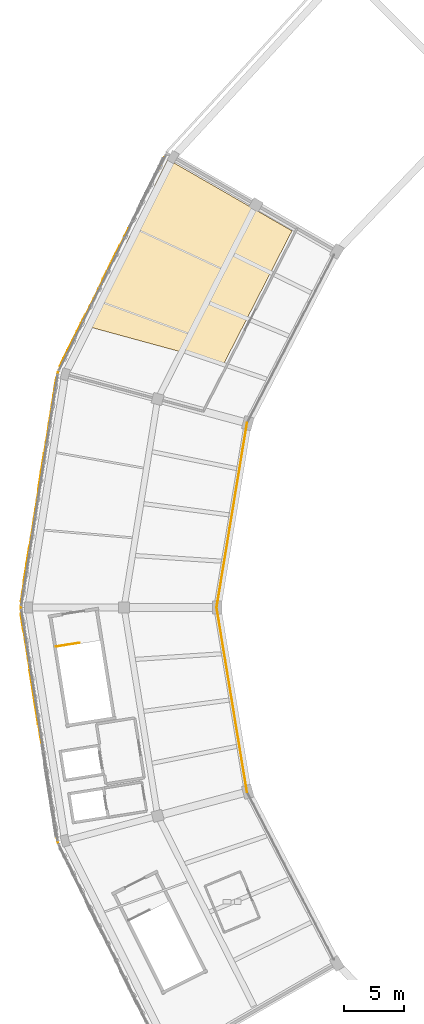
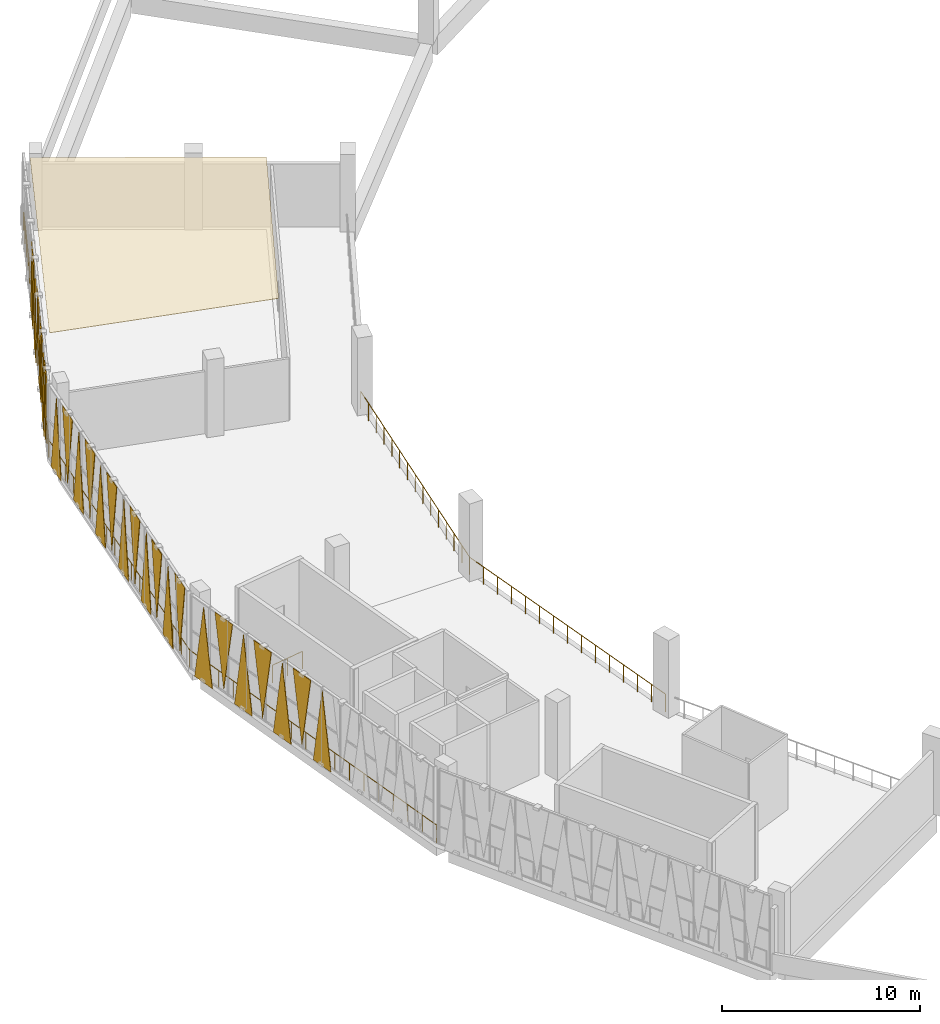
# One storey, part 58 of 64: 28 coverings, 6 railings.
"""IFC4 building model written with IfcOpenShell, lengths in metres."""

from ifc_helpers import new_model, si_unit, direction, frame, origin, origin_2d, place, context, subcontext, project, spatial, polyline, circle, outline, extrude, material, layer, layer_set, type_object, element, save


model = new_model("IFC4")

# Units and contexts
model_context = context("Model", 3, precision=1e-05, world=origin(), true_north=direction((0.0, 1.0)))
body_context = subcontext(model_context, "Body", "Model", "MODEL_VIEW")
ifc_project = project(units=[si_unit("LENGTHUNIT", "METRE"), si_unit("AREAUNIT", "SQUARE_METRE"), si_unit("VOLUMEUNIT", "CUBIC_METRE"), si_unit("PLANEANGLEUNIT", "RADIAN"), si_unit("MASSUNIT", "GRAM", prefix="KILO")], contexts=[model_context])

# Site, building, storey
site_placement = place(None, origin())
site = spatial("IfcSite", under=ifc_project, at=site_placement, CompositionType="ELEMENT")
building_placement = place(site_placement, origin())
building = spatial("IfcBuilding", under=site, at=building_placement, Name="Zevraka Park Crest Stadium", CompositionType="ELEMENT")
storey_placement = place(building_placement, frame((0.0, 0.0, 24.60009765625)))
storey = spatial("IfcBuildingStorey", under=building, at=storey_placement, Name="L05", CompositionType="ELEMENT", Elevation=24.60009765625)

# Coverings
ifc_material_1 = material(Name="Architectural golden-bronze perforated aluminium", Category="aluminium")
ifc_layer_1 = layer(ifc_material_1, 0.034912109375)
ifc_layer_set_1 = layer_set([ifc_layer_1], Name="Architectural golden-bronze perforated aluminium")
covering_type_1 = type_object("IfcCoveringType", Name="CLD01", PredefinedType="CLADDING", material=ifc_layer_set_1)
covering_1_placement = place(storey_placement, frame((30.05908203125, 123.68408203125, -0.22021484375), z_axis=(-0.895916767223, 0.444221937409, 0.000128584975), x_axis=(-0.444221941081, -0.895916774629, 0.0)))
element("IfcCovering", 1, at=covering_1_placement, inside=storey, type_object=covering_type_1, Name="Triangular Golden-Bronze Perforated Cladding L05-10-5", PredefinedType="CLADDING", context=body_context, shape_type="SweptSolid", body=[
    extrude(outline(polyline([(0.0, 0.0), (1.4701573953898759, 0.0), (0.7354628429647014, 4.660156288525736), (0.0, 0.0)])), origin(), (0.0, 0.0, -1.0), 0.034912109375),
])
covering_2_placement = place(storey_placement, frame((28.681884765625, 120.906982421875, 4.599853515625), z_axis=(0.895916759006, -0.444221933335, 0.000186752884), x_axis=(0.444221941081, 0.895916774629, 0.0)))
element("IfcCovering", 2, at=covering_2_placement, inside=storey, type_object=covering_type_1, Name="Triangular Golden-Bronze Perforated Cladding L05-10-6", PredefinedType="CLADDING", context=body_context, shape_type="SweptSolid", body=[
    extrude(outline(polyline([(0.0, 0.0), (1.4701573953898759, 1.3552527156068805e-20), (0.7348030050475087, -4.379882888877799), (0.0, 0.0)])), origin(), (0.0, 0.0, -1.0), 0.034912109375),
])
covering_3_placement = place(storey_placement, frame((28.611083984375, 120.762939453125, -0.22021484375), z_axis=(0.895883985299, -0.444288034979, 0.000163887575), x_axis=(-0.444288040945, -0.895883997331, 0.0)))
element("IfcCovering", 3, at=covering_3_placement, inside=storey, type_object=covering_type_1, Name="Triangular Golden-Bronze Perforated Cladding L05-10-7", PredefinedType="CLADDING", context=body_context, shape_type="SweptSolid", body=[
    extrude(outline(polyline([(0.0, 0.0), (1.469938669709407, 0.0), (0.7348030633966232, -4.66015631258389), (0.0, 0.0)])), origin(), (0.0, 0.0, -1.0), 0.034912109375),
])
covering_4_placement = place(storey_placement, frame((27.23388671875, 117.986083984375, 4.599853515625), z_axis=(-0.895883990394, 0.444288037506, 0.000124437127), x_axis=(0.444288040945, 0.895883997331, 0.0)))
element("IfcCovering", 4, at=covering_4_placement, inside=storey, type_object=covering_type_1, Name="Triangular Golden-Bronze Perforated Cladding L05-10-8", PredefinedType="CLADDING", context=body_context, shape_type="SweptSolid", body=[
    extrude(outline(polyline([(0.0, 0.0), (1.469938669709407, 0.0), (0.7352440750727806, 4.379882846410363), (0.0, 0.0)])), origin(), (0.0, 0.0, -1.0), 0.034912109375),
])
covering_5_placement = place(storey_placement, frame((27.162109375, 117.843017578125, -0.22021484375), z_axis=(-0.895916769661, 0.444221938618, 0.00010531266), x_axis=(-0.444221941081, -0.895916774629, 0.0)))
element("IfcCovering", 5, at=covering_5_placement, inside=storey, type_object=covering_type_1, Name="Triangular Golden-Bronze Perforated Cladding L05-10-9", PredefinedType="CLADDING", context=body_context, shape_type="SweptSolid", body=[
    extrude(outline(polyline([(0.0, 0.0), (1.4701573953898759, 0.0), (0.7352441132833955, 4.66015627584233), (0.0, 0.0)])), origin(), (0.0, 0.0, -1.0), 0.034912109375),
])
covering_6_placement = place(storey_placement, frame((25.784912109375, 115.06494140625, 4.599853515625), z_axis=(0.895916772854, -0.444221940201, 6.2945211e-05), x_axis=(0.444221941081, 0.895916774629, 0.0)))
element("IfcCovering", 6, at=covering_6_placement, inside=storey, type_object=covering_type_1, Name="Triangular Golden-Bronze Perforated Cladding L05-10-10", PredefinedType="CLADDING", context=body_context, shape_type="SweptSolid", body=[
    extrude(outline(polyline([(0.0, 0.0), (1.4701573953898759, 0.0), (0.7358966534540385, -4.379882821176766), (0.0, 0.0)])), origin(), (0.0, 0.0, -1.0), 0.034912109375),
])
covering_7_placement = place(storey_placement, frame((25.714111328125, 114.922119140625, -0.22021484375), z_axis=(0.895916764246, -0.444221935933, 0.000152248785), x_axis=(-0.444221941081, -0.895916774629, 0.0)))
element("IfcCovering", 7, at=covering_7_placement, inside=storey, type_object=covering_type_1, Name="Triangular Golden-Bronze Perforated Cladding L05-10-11", PredefinedType="CLADDING", context=body_context, shape_type="SweptSolid", body=[
    extrude(outline(polyline([(0.0, 0.0), (1.4701573953898759, 1.3552527156068805e-20), (0.7350217347288147, -4.660156304010495), (0.0, 0.0)])), origin(), (0.0, 0.0, -1.0), 0.034912109375),
])
covering_8_placement = place(storey_placement, frame((24.3359375, 112.14501953125, 4.599853515625), z_axis=(0.895619480368, -0.444821021117, 7.4551381e-05), x_axis=(0.444821022353, 0.895619482857, 0.0)))
element("IfcCovering", 8, at=covering_8_placement, inside=storey, type_object=covering_type_1, Name="Triangular Golden-Bronze Perforated Cladding L05-10-12", PredefinedType="CLADDING", context=body_context, shape_type="SweptSolid", body=[
    extrude(outline(polyline([(0.0, 0.0), (1.4703728050326461, 0.0), (0.7348033877569146, -4.379882824671494), (0.0, 0.0)])), origin(), (0.0, 0.0, -1.0), 0.034912109375),
])
covering_9_placement = place(storey_placement, frame((24.01806640625, 111.14599609375, -0.22021484375), z_axis=(-0.987893266942, 0.155135069683, 5.7313612e-05), x_axis=(-0.155135069938, -0.987893268565, 0.0)))
element("IfcCovering", 9, at=covering_9_placement, inside=storey, type_object=covering_type_1, Name="Triangular Golden-Bronze Perforated Cladding L05-11-1", PredefinedType="CLADDING", context=body_context, shape_type="SweptSolid", body=[
    extrude(outline(polyline([(0.0, 0.0), (1.4242251330644342, -1.6940658945086007e-21), (0.7114527921727644, 4.6601562576539575), (0.0, 0.0)])), origin(), (0.0, 0.0, -1.0), 0.034912109375),
])
covering_10_placement = place(storey_placement, frame((23.550048828125, 108.174072265625, 4.599853515625), z_axis=(-0.987787967194, 0.155804140583, 4.0557424e-05), x_axis=(0.155804140711, 0.987787968006, 0.0)))
element("IfcCovering", 10, at=covering_10_placement, inside=storey, type_object=covering_type_1, Name="Triangular Golden-Bronze Perforated Cladding L05-11-2", PredefinedType="CLADDING", context=body_context, shape_type="SweptSolid", body=[
    extrude(outline(polyline([(0.0, 0.0), (1.424376958868296, 0.0), (0.7125311991318173, 4.379882816102245), (0.0, 0.0)])), origin(), (0.0, 0.0, -1.0), 0.034912109375),
])
covering_11_placement = place(storey_placement, frame((23.52490234375, 108.01611328125, -0.22021484375), z_axis=(-0.987792127669, 0.155777766143, 9.552626e-06), x_axis=(-0.155777766151, -0.987792127714, 0.0)))
element("IfcCovering", 11, at=covering_11_placement, inside=storey, type_object=covering_type_1, Name="Triangular Golden-Bronze Perforated Cladding L05-11-3", PredefinedType="CLADDING", context=body_context, shape_type="SweptSolid", body=[
    extrude(outline(polyline([(0.0, 0.0), (1.4246181185479923, 0.0), (0.7118077230585413, 4.660156250212626), (0.0, 0.0)])), origin(), (0.0, 0.0, -1.0), 0.034912109375),
])
covering_12_placement = place(storey_placement, frame((23.055908203125, 105.0439453125, 4.599853515625), z_axis=(-0.98776157535, 0.155971374903, 2.1735141e-05), x_axis=(0.15597137494, 0.987761575584, 0.0)))
element("IfcCovering", 12, at=covering_12_placement, inside=storey, type_object=covering_type_1, Name="Triangular Golden-Bronze Perforated Cladding L05-11-4", PredefinedType="CLADDING", context=body_context, shape_type="SweptSolid", body=[
    extrude(outline(polyline([(0.0, 0.0), (1.4244150174031942, 8.470329472543003e-22), (0.712810390522632, 4.3798828135345635), (0.0, 0.0)])), origin(), (0.0, 0.0, -1.0), 0.034912109375),
])
covering_13_placement = place(storey_placement, frame((23.031982421875, 104.885986328125, -0.22021484375), z_axis=(0.987787966948, -0.155804140544, 4.6280613e-05), x_axis=(-0.155804140711, -0.987787968006, 0.0)))
element("IfcCovering", 13, at=covering_13_placement, inside=storey, type_object=covering_type_1, Name="Triangular Golden-Bronze Perforated Cladding L05-11-5", PredefinedType="CLADDING", context=body_context, shape_type="SweptSolid", body=[
    extrude(outline(polyline([(0.0, 0.0), (1.424376958868296, 0.0), (0.7116046005646023, -4.660156254990783), (0.0, 0.0)])), origin(), (0.0, 0.0, -1.0), 0.034912109375),
])
covering_14_placement = place(storey_placement, frame((22.56298828125, 101.9140625, 4.599853515625), z_axis=(0.987787967902, -0.155804140695, 1.450322e-05), x_axis=(0.155804140711, 0.987787968006, 0.0)))
element("IfcCovering", 14, at=covering_14_placement, inside=storey, type_object=covering_type_1, Name="Triangular Golden-Bronze Perforated Cladding L05-11-6", PredefinedType="CLADDING", context=body_context, shape_type="SweptSolid", body=[
    extrude(outline(polyline([(0.0, 0.0), (1.424376958868296, 0.0), (0.7125692372521081, -4.3798828129606395), (0.0, 0.0)])), origin(), (0.0, 0.0, -1.0), 0.034912109375),
])
covering_15_placement = place(storey_placement, frame((22.5380859375, 101.756103515625, -0.22021484375), z_axis=(-0.987761575377, 0.155971374908, 2.0427936e-05), x_axis=(-0.15597137494, -0.987761575584, 0.0)))
element("IfcCovering", 15, at=covering_15_placement, inside=storey, type_object=covering_type_1, Name="Triangular Golden-Bronze Perforated Cladding L05-11-7", PredefinedType="CLADDING", context=body_context, shape_type="SweptSolid", body=[
    extrude(outline(polyline([(0.0, 0.0), (1.4244150174031942, 0.0), (0.712810390522632, 4.660156250972343), (0.0, 0.0)])), origin(), (0.0, 0.0, -1.0), 0.034912109375),
])
covering_16_placement = place(storey_placement, frame((22.069091796875, 98.783935546875, 4.599853515625), z_axis=(-0.987787967902, 0.155804140695, 1.450322e-05), x_axis=(0.155804140711, 0.987787968006, 0.0)))
element("IfcCovering", 16, at=covering_16_placement, inside=storey, type_object=covering_type_1, Name="Triangular Golden-Bronze Perforated Cladding L05-11-8", PredefinedType="CLADDING", context=body_context, shape_type="SweptSolid", body=[
    extrude(outline(polyline([(0.0, 0.0), (1.424376958868296, 0.0), (0.711807721616188, 4.3798828129606395), (0.0, 0.0)])), origin(), (0.0, 0.0, -1.0), 0.034912109375),
])
covering_17_placement = place(storey_placement, frame((22.044921875, 98.6259765625, -0.22021484375), z_axis=(-0.987787967288, 0.155804140598, 3.81182e-05), x_axis=(-0.155804140711, -0.987787968006, 0.0)))
element("IfcCovering", 17, at=covering_17_placement, inside=storey, type_object=covering_type_1, Name="Triangular Golden-Bronze Perforated Cladding L05-11-9", PredefinedType="CLADDING", context=body_context, shape_type="SweptSolid", body=[
    extrude(outline(polyline([(0.0, 0.0), (1.424376958868296, 0.0), (0.7125311991318173, 4.660156253385598), (0.0, 0.0)])), origin(), (0.0, 0.0, -1.0), 0.034912109375),
])
covering_18_placement = place(storey_placement, frame((21.575927734375, 95.654052734375, 4.599853515625), z_axis=(0.98776157535, -0.155971374903, 2.1735141e-05), x_axis=(0.15597137494, 0.987761575584, 0.0)))
element("IfcCovering", 18, at=covering_18_placement, inside=storey, type_object=covering_type_1, Name="Triangular Golden-Bronze Perforated Cladding L05-11-10", PredefinedType="CLADDING", context=body_context, shape_type="SweptSolid", body=[
    extrude(outline(polyline([(0.0, 0.0), (1.4244150174031942, 8.470329472543003e-22), (0.7116046268805623, -4.3798828135345635), (0.0, 0.0)])), origin(), (0.0, 0.0, -1.0), 0.034912109375),
])
covering_19_placement = place(storey_placement, frame((21.551025390625, 95.49609375, -0.22021484375), z_axis=(0.987787967991, -0.155804140709, 5.468547e-06), x_axis=(-0.155804140711, -0.987787968006, 0.0)))
element("IfcCovering", 19, at=covering_19_placement, inside=storey, type_object=covering_type_1, Name="Triangular Golden-Bronze Perforated Cladding L05-11-11", PredefinedType="CLADDING", context=body_context, shape_type="SweptSolid", body=[
    extrude(outline(polyline([(0.0, 0.0), (1.424376958868296, 0.0), (0.7128103964239846, -4.660156250069682), (0.0, 0.0)])), origin(), (0.0, 0.0, -1.0), 0.034912109375),
])
covering_20_placement = place(storey_placement, frame((21.0830078125, 92.52392578125, 4.599853515625), z_axis=(-0.98789326617, 0.155135069562, 6.9628612e-05), x_axis=(0.155135069938, 0.987893268565, 0.0)))
element("IfcCovering", 20, at=covering_20_placement, inside=storey, type_object=covering_type_1, Name="Triangular Golden-Bronze Perforated Cladding L05-11-12", PredefinedType="CLADDING", context=body_context, shape_type="SweptSolid", body=[
    extrude(outline(polyline([(0.0, 0.0), (1.4242251330644342, 0.0), (0.711693977052785, 4.379882823117151), (0.0, 0.0)])), origin(), (0.0, 0.0, -1.0), 0.034912109375),
])
covering_21_placement = place(storey_placement, frame((21.0830078125, 91.47607421875, -0.22021484375), z_axis=(0.987893266449, 0.155135069606, 6.5440973e-05), x_axis=(0.155135069938, -0.987893268565, 0.0)))
element("IfcCovering", 21, at=covering_21_placement, inside=storey, type_object=covering_type_1, Name="Triangular Golden-Bronze Perforated Cladding L05-12-1", PredefinedType="CLADDING", context=body_context, shape_type="SweptSolid", body=[
    extrude(outline(polyline([(0.0, 0.0), (1.4242251330644342, 1.6940658945086007e-21), (0.711693977052785, -4.66015625997861), (0.0, 0.0)])), origin(), (0.0, 0.0, -1.0), 0.034912109375),
])
covering_22_placement = place(storey_placement, frame((21.551025390625, 88.50390625, 4.599853515625), z_axis=(-0.987787967989, -0.155804140708, 5.818486e-06), x_axis=(-0.155804140711, 0.987787968006, 0.0)))
element("IfcCovering", 22, at=covering_22_placement, inside=storey, type_object=covering_type_1, Name="Triangular Golden-Bronze Perforated Cladding L05-12-2", PredefinedType="CLADDING", context=body_context, shape_type="SweptSolid", body=[
    extrude(outline(polyline([(0.0, 0.0), (1.424376958868296, 0.0), (0.7128103964239846, 4.379882812574141), (0.0, 0.0)])), origin(), (0.0, 0.0, -1.0), 0.034912109375),
])
covering_23_placement = place(storey_placement, frame((21.575927734375, 88.345947265625, -0.22021484375), z_axis=(-0.987761575377, -0.155971374908, 2.0427936e-05), x_axis=(0.15597137494, -0.987761575584, 0.0)))
element("IfcCovering", 23, at=covering_23_placement, inside=storey, type_object=covering_type_1, Name="Triangular Golden-Bronze Perforated Cladding L05-12-3", PredefinedType="CLADDING", context=body_context, shape_type="SweptSolid", body=[
    extrude(outline(polyline([(0.0, 0.0), (1.4244150174031942, 0.0), (0.7116046268805623, 4.660156250972343), (0.0, 0.0)])), origin(), (0.0, 0.0, -1.0), 0.034912109375),
])
covering_24_placement = place(storey_placement, frame((22.044921875, 85.3740234375, 4.599853515625), z_axis=(0.987787967194, 0.155804140583, 4.0557424e-05), x_axis=(-0.155804140711, 0.987787968006, 0.0)))
element("IfcCovering", 24, at=covering_24_placement, inside=storey, type_object=covering_type_1, Name="Triangular Golden-Bronze Perforated Cladding L05-12-4", PredefinedType="CLADDING", context=body_context, shape_type="SweptSolid", body=[
    extrude(outline(polyline([(0.0, 0.0), (1.424376958868296, 0.0), (0.7125311991318173, -4.379882816102245), (0.0, 0.0)])), origin(), (0.0, 0.0, -1.0), 0.034912109375),
])
covering_25_placement = place(storey_placement, frame((22.069091796875, 85.216064453125, -0.22021484375), z_axis=(0.987787967914, 0.155804140697, 1.363096e-05), x_axis=(0.155804140711, -0.987787968006, 0.0)))
element("IfcCovering", 25, at=covering_25_placement, inside=storey, type_object=covering_type_1, Name="Triangular Golden-Bronze Perforated Cladding L05-12-5", PredefinedType="CLADDING", context=body_context, shape_type="SweptSolid", body=[
    extrude(outline(polyline([(0.0, 0.0), (1.424376958868296, 0.0), (0.711807721616188, -4.660156250432936), (0.0, 0.0)])), origin(), (0.0, 0.0, -1.0), 0.034912109375),
])
covering_26_placement = place(storey_placement, frame((22.5380859375, 82.243896484375, 4.599853515625), z_axis=(0.98776157535, 0.155971374903, 2.1735141e-05), x_axis=(-0.15597137494, 0.987761575584, 0.0)))
element("IfcCovering", 26, at=covering_26_placement, inside=storey, type_object=covering_type_1, Name="Triangular Golden-Bronze Perforated Cladding L05-12-6", PredefinedType="CLADDING", context=body_context, shape_type="SweptSolid", body=[
    extrude(outline(polyline([(0.0, 0.0), (1.4244150174031942, -8.470329472543003e-22), (0.712810390522632, -4.3798828135345635), (0.0, 0.0)])), origin(), (0.0, 0.0, -1.0), 0.034912109375),
])
covering_27_placement = place(storey_placement, frame((22.56298828125, 82.0859375, -0.22021484375), z_axis=(-0.987787967914, -0.155804140697, 1.363096e-05), x_axis=(0.155804140711, -0.987787968006, 0.0)))
element("IfcCovering", 27, at=covering_27_placement, inside=storey, type_object=covering_type_1, Name="Triangular Golden-Bronze Perforated Cladding L05-12-7", PredefinedType="CLADDING", context=body_context, shape_type="SweptSolid", body=[
    extrude(outline(polyline([(0.0, 0.0), (1.424376958868296, 0.0), (0.7125692372521081, 4.660156250432936), (0.0, 0.0)])), origin(), (0.0, 0.0, -1.0), 0.034912109375),
])
ifc_material_2 = material(Name="Perforated acoustic mineral-fibre suspended ceiling", Category="other")
ifc_layer_2 = layer(ifc_material_2, 0.02490234375)
ifc_layer_set_2 = layer_set([ifc_layer_2], Name="Perforated acoustic mineral-fibre suspended ceiling")
covering_type_2 = type_object("IfcCoveringType", Name="CLG01", PredefinedType="CEILING", material=ifc_layer_set_2)
covering_28_placement = place(storey_placement, frame((0.0, 0.0, 4.47998046875)))
element("IfcCovering", 28, at=covering_28_placement, inside=storey, type_object=covering_type_2, Name="Acoustic Ceiling Press Writing Hall L05-026", PredefinedType="CEILING", context=body_context, shape_type="SweptSolid", body=[
    extrude(outline(polyline([(43.72998046875, 123.47607421875), (38.0380859375, 112.381103515625), (26.4619140625, 115.54296875), (33.35302734375, 129.448974609375), (43.72998046875, 123.47607421875)])), origin(), (0.0, 0.0, 1.0), 0.02490234375),
])

# Railings
ifc_material_3 = material(Name="Galvanised and bronze-finished steel balustrade", Category="steel")
railing_type_1 = type_object("IfcRailingType", Name="GR01", PredefinedType="GUARDRAIL", material=ifc_material_3)
railing_1_placement = place(storey_placement, frame((21.071044921875, 92.0, 0.0)))
element("IfcRailing", 29, at=railing_1_placement, inside=storey, type_object=railing_type_1, Name="Deck Edge Protection Guardrail GR01 L05-25", PredefinedType="GUARDRAIL", context=body_context, shape_type="SweptSolid", body=[
    extrude(circle(Radius=0.02392578125, at=origin_2d()), frame((0.0, 0.0, 1.076171875), z_axis=(0.155690922418, 0.987805819317, 0.0), x_axis=(-0.987805819317, 0.155690922418, 0.0)), (0.0, 0.0, 1.0), 19.8916015625),
    extrude(circle(Radius=0.02099609375, at=origin_2d()), origin(), (0.0, 0.0, 1.0), 1.052001953125),
    extrude(circle(Radius=0.02099609375, at=origin_2d()), frame((0.18212890625, 1.15576171875, 0.0)), (0.0, 0.0, 1.0), 1.052001953125),
    extrude(circle(Radius=0.02099609375, at=origin_2d()), frame((0.3642578125, 2.3115234375, 0.0)), (0.0, 0.0, 1.0), 1.052001953125),
    extrude(circle(Radius=0.02099609375, at=origin_2d()), frame((0.546630859375, 3.467529296875, 0.0)), (0.0, 0.0, 1.0), 1.052001953125),
    extrude(circle(Radius=0.02099609375, at=origin_2d()), frame((0.728759765625, 4.623291015625, 0.0)), (0.0, 0.0, 1.0), 1.052001953125),
    extrude(circle(Radius=0.02099609375, at=origin_2d()), frame((0.910888671875, 5.779052734375, 0.0)), (0.0, 0.0, 1.0), 1.052001953125),
    extrude(circle(Radius=0.02099609375, at=origin_2d()), frame((1.093017578125, 6.934814453125, 0.0)), (0.0, 0.0, 1.0), 1.052001953125),
    extrude(circle(Radius=0.02099609375, at=origin_2d()), frame((1.275146484375, 8.0908203125, 0.0)), (0.0, 0.0, 1.0), 1.052001953125),
    extrude(circle(Radius=0.02099609375, at=origin_2d()), frame((1.457275390625, 9.24658203125, 0.0)), (0.0, 0.0, 1.0), 1.052001953125),
    extrude(circle(Radius=0.02099609375, at=origin_2d()), frame((1.6396484375, 10.40234375, 0.0)), (0.0, 0.0, 1.0), 1.052001953125),
    extrude(circle(Radius=0.02099609375, at=origin_2d()), frame((1.82177734375, 11.55810546875, 0.0)), (0.0, 0.0, 1.0), 1.052001953125),
    extrude(circle(Radius=0.02099609375, at=origin_2d()), frame((2.00390625, 12.714111328125, 0.0)), (0.0, 0.0, 1.0), 1.052001953125),
    extrude(circle(Radius=0.02099609375, at=origin_2d()), frame((2.18603515625, 13.869873046875, 0.0)), (0.0, 0.0, 1.0), 1.052001953125),
    extrude(circle(Radius=0.02099609375, at=origin_2d()), frame((2.3681640625, 15.025634765625, 0.0)), (0.0, 0.0, 1.0), 1.052001953125),
    extrude(circle(Radius=0.02099609375, at=origin_2d()), frame((2.55029296875, 16.181396484375, 0.0)), (0.0, 0.0, 1.0), 1.052001953125),
    extrude(circle(Radius=0.02099609375, at=origin_2d()), frame((2.732666015625, 17.33740234375, 0.0)), (0.0, 0.0, 1.0), 1.052001953125),
    extrude(circle(Radius=0.02099609375, at=origin_2d()), frame((2.914794921875, 18.4931640625, 0.0)), (0.0, 0.0, 1.0), 1.052001953125),
    extrude(circle(Radius=0.02099609375, at=origin_2d()), frame((3.096923828125, 19.64892578125, 0.0)), (0.0, 0.0, 1.0), 1.052001953125),
])
railing_2_placement = place(storey_placement, frame((24.16796875, 111.64892578125, 0.0)))
element("IfcRailing", 30, at=railing_2_placement, inside=storey, type_object=railing_type_1, Name="Deck Edge Protection Guardrail GR01 L05-26", PredefinedType="GUARDRAIL", context=body_context, shape_type="SweptSolid", body=[
    extrude(circle(Radius=0.02392578125, at=origin_2d()), frame((0.0, 0.0, 1.076171875), z_axis=(0.444343152442, 0.895856664248, 0.0), x_axis=(-0.895856664248, 0.444343152442, 0.0)), (0.0, 0.0, 1.0), 20.0546875),
    extrude(circle(Radius=0.02099609375, at=origin_2d()), origin(), (0.0, 0.0, 1.0), 1.052001953125),
    extrude(circle(Radius=0.02099609375, at=origin_2d()), frame((0.524169921875, 1.056884765625, 0.0)), (0.0, 0.0, 1.0), 1.052001953125),
    extrude(circle(Radius=0.02099609375, at=origin_2d()), frame((1.04833984375, 2.11376953125, 0.0)), (0.0, 0.0, 1.0), 1.052001953125),
    extrude(circle(Radius=0.02099609375, at=origin_2d()), frame((1.572509765625, 3.17041015625, 0.0)), (0.0, 0.0, 1.0), 1.052001953125),
    extrude(circle(Radius=0.02099609375, at=origin_2d()), frame((2.0966796875, 4.227294921875, 0.0)), (0.0, 0.0, 1.0), 1.052001953125),
    extrude(circle(Radius=0.02099609375, at=origin_2d()), frame((2.620849609375, 5.2841796875, 0.0)), (0.0, 0.0, 1.0), 1.052001953125),
    extrude(circle(Radius=0.02099609375, at=origin_2d()), frame((3.14501953125, 6.341064453125, 0.0)), (0.0, 0.0, 1.0), 1.052001953125),
    extrude(circle(Radius=0.02099609375, at=origin_2d()), frame((3.669189453125, 7.397705078125, 0.0)), (0.0, 0.0, 1.0), 1.052001953125),
    extrude(circle(Radius=0.02099609375, at=origin_2d()), frame((4.193359375, 8.45458984375, 0.0)), (0.0, 0.0, 1.0), 1.052001953125),
    extrude(circle(Radius=0.02099609375, at=origin_2d()), frame((4.7177734375, 9.511474609375, 0.0)), (0.0, 0.0, 1.0), 1.052001953125),
    extrude(circle(Radius=0.02099609375, at=origin_2d()), frame((5.241943359375, 10.568359375, 0.0)), (0.0, 0.0, 1.0), 1.052001953125),
    extrude(circle(Radius=0.02099609375, at=origin_2d()), frame((5.76611328125, 11.625, 0.0)), (0.0, 0.0, 1.0), 1.052001953125),
    extrude(circle(Radius=0.02099609375, at=origin_2d()), frame((6.290283203125, 12.681884765625, 0.0)), (0.0, 0.0, 1.0), 1.052001953125),
    extrude(circle(Radius=0.02099609375, at=origin_2d()), frame((6.814453125, 13.73876953125, 0.0)), (0.0, 0.0, 1.0), 1.052001953125),
    extrude(circle(Radius=0.02099609375, at=origin_2d()), frame((7.338623046875, 14.795654296875, 0.0)), (0.0, 0.0, 1.0), 1.052001953125),
    extrude(circle(Radius=0.02099609375, at=origin_2d()), frame((7.86279296875, 15.852294921875, 0.0)), (0.0, 0.0, 1.0), 1.052001953125),
    extrude(circle(Radius=0.02099609375, at=origin_2d()), frame((8.386962890625, 16.9091796875, 0.0)), (0.0, 0.0, 1.0), 1.052001953125),
    extrude(circle(Radius=0.02099609375, at=origin_2d()), frame((8.9111328125, 17.966064453125, 0.0)), (0.0, 0.0, 1.0), 1.052001953125),
])
railing_3_placement = place(storey_placement, frame((39.97412109375, 107.425048828125, 0.0)))
element("IfcRailing", 31, at=railing_3_placement, inside=storey, type_object=railing_type_1, Name="Deck Edge Protection Guardrail GR01 L05-28", PredefinedType="GUARDRAIL", context=body_context, shape_type="SweptSolid", body=[
    extrude(circle(Radius=0.02392578125, at=origin_2d()), frame((0.0, 0.0, 1.076171875), z_axis=(-0.162709297252, -0.986674051847, 0.0), x_axis=(0.986674051847, -0.162709297252, 0.0)), (0.0, 0.0, 1.0), 15.63037109375),
    extrude(circle(Radius=0.02099609375, at=origin_2d()), origin(), (0.0, 0.0, 1.0), 1.052001953125),
    extrude(circle(Radius=0.02099609375, at=origin_2d()), frame((-0.181640625, -1.1015625, 0.0)), (0.0, 0.0, 1.0), 1.052001953125),
    extrude(circle(Radius=0.02099609375, at=origin_2d()), frame((-0.36328125, -2.203125, 0.0)), (0.0, 0.0, 1.0), 1.052001953125),
    extrude(circle(Radius=0.02099609375, at=origin_2d()), frame((-0.544921875, -3.3046875, 0.0)), (0.0, 0.0, 1.0), 1.052001953125),
    extrude(circle(Radius=0.02099609375, at=origin_2d()), frame((-0.7265625, -4.40625, 0.0)), (0.0, 0.0, 1.0), 1.052001953125),
    extrude(circle(Radius=0.02099609375, at=origin_2d()), frame((-0.908203125, -5.5078125, 0.0)), (0.0, 0.0, 1.0), 1.052001953125),
    extrude(circle(Radius=0.02099609375, at=origin_2d()), frame((-1.08984375, -6.609375, 0.0)), (0.0, 0.0, 1.0), 1.052001953125),
    extrude(circle(Radius=0.02099609375, at=origin_2d()), frame((-1.271484375, -7.7109375, 0.0)), (0.0, 0.0, 1.0), 1.052001953125),
    extrude(circle(Radius=0.02099609375, at=origin_2d()), frame((-1.453369140625, -8.812744140625, 0.0)), (0.0, 0.0, 1.0), 1.052001953125),
    extrude(circle(Radius=0.02099609375, at=origin_2d()), frame((-1.635009765625, -9.914306640625, 0.0)), (0.0, 0.0, 1.0), 1.052001953125),
    extrude(circle(Radius=0.02099609375, at=origin_2d()), frame((-1.816650390625, -11.015869140625, 0.0)), (0.0, 0.0, 1.0), 1.052001953125),
    extrude(circle(Radius=0.02099609375, at=origin_2d()), frame((-1.998291015625, -12.117431640625, 0.0)), (0.0, 0.0, 1.0), 1.052001953125),
    extrude(circle(Radius=0.02099609375, at=origin_2d()), frame((-2.179931640625, -13.218994140625, 0.0)), (0.0, 0.0, 1.0), 1.052001953125),
    extrude(circle(Radius=0.02099609375, at=origin_2d()), frame((-2.361572265625, -14.320556640625, 0.0)), (0.0, 0.0, 1.0), 1.052001953125),
    extrude(circle(Radius=0.02099609375, at=origin_2d()), frame((-2.543212890625, -15.422119140625, 0.0)), (0.0, 0.0, 1.0), 1.052001953125),
])
railing_4_placement = place(storey_placement, frame((37.430908203125, 92.0029296875, 0.0)))
element("IfcRailing", 32, at=railing_4_placement, inside=storey, type_object=railing_type_1, Name="Deck Edge Protection Guardrail GR01 L05-29", PredefinedType="GUARDRAIL", context=body_context, shape_type="SweptSolid", body=[
    extrude(circle(Radius=0.02392578125, at=origin_2d()), frame((0.0, 0.0, 1.076171875), z_axis=(0.162649137145, -0.986683970776, 0.0), x_axis=(0.986683970776, 0.162649137145, 0.0)), (0.0, 0.0, 1.0), 15.63623046875),
    extrude(circle(Radius=0.02099609375, at=origin_2d()), origin(), (0.0, 0.0, 1.0), 1.052001953125),
    extrude(circle(Radius=0.02099609375, at=origin_2d()), frame((0.181640625, -1.10205078125, 0.0)), (0.0, 0.0, 1.0), 1.052001953125),
    extrude(circle(Radius=0.02099609375, at=origin_2d()), frame((0.36328125, -2.2041015625, 0.0)), (0.0, 0.0, 1.0), 1.052001953125),
    extrude(circle(Radius=0.02099609375, at=origin_2d()), frame((0.544921875, -3.305908203125, 0.0)), (0.0, 0.0, 1.0), 1.052001953125),
    extrude(circle(Radius=0.02099609375, at=origin_2d()), frame((0.7265625, -4.407958984375, 0.0)), (0.0, 0.0, 1.0), 1.052001953125),
    extrude(circle(Radius=0.02099609375, at=origin_2d()), frame((0.908203125, -5.510009765625, 0.0)), (0.0, 0.0, 1.0), 1.052001953125),
    extrude(circle(Radius=0.02099609375, at=origin_2d()), frame((1.08984375, -6.612060546875, 0.0)), (0.0, 0.0, 1.0), 1.052001953125),
    extrude(circle(Radius=0.02099609375, at=origin_2d()), frame((1.271484375, -7.7138671875, 0.0)), (0.0, 0.0, 1.0), 1.052001953125),
    extrude(circle(Radius=0.02099609375, at=origin_2d()), frame((1.453369140625, -8.81591796875, 0.0)), (0.0, 0.0, 1.0), 1.052001953125),
    extrude(circle(Radius=0.02099609375, at=origin_2d()), frame((1.635009765625, -9.91796875, 0.0)), (0.0, 0.0, 1.0), 1.052001953125),
    extrude(circle(Radius=0.02099609375, at=origin_2d()), frame((1.816650390625, -11.02001953125, 0.0)), (0.0, 0.0, 1.0), 1.052001953125),
    extrude(circle(Radius=0.02099609375, at=origin_2d()), frame((1.998291015625, -12.1220703125, 0.0)), (0.0, 0.0, 1.0), 1.052001953125),
    extrude(circle(Radius=0.02099609375, at=origin_2d()), frame((2.179931640625, -13.223876953125, 0.0)), (0.0, 0.0, 1.0), 1.052001953125),
    extrude(circle(Radius=0.02099609375, at=origin_2d()), frame((2.361572265625, -14.325927734375, 0.0)), (0.0, 0.0, 1.0), 1.052001953125),
    extrude(circle(Radius=0.02099609375, at=origin_2d()), frame((2.543212890625, -15.427978515625, 0.0)), (0.0, 0.0, 1.0), 1.052001953125),
])
railing_5_placement = place(storey_placement, frame((24.16796875, 72.35107421875, 0.0)))
element("IfcRailing", 33, at=railing_5_placement, inside=storey, type_object=railing_type_1, Name="Deck Edge Protection Guardrail GR01 L05-32", PredefinedType="GUARDRAIL", context=body_context, shape_type="SweptSolid", body=[
    extrude(circle(Radius=0.02392578125, at=origin_2d()), frame((0.0, 0.0, 1.076171875), z_axis=(-0.155690922418, 0.987805819317, 0.0), x_axis=(-0.987805819317, -0.155690922418, 0.0)), (0.0, 0.0, 1.0), 19.8916015625),
    extrude(circle(Radius=0.02099609375, at=origin_2d()), origin(), (0.0, 0.0, 1.0), 1.052001953125),
    extrude(circle(Radius=0.02099609375, at=origin_2d()), frame((-0.18212890625, 1.15576171875, 0.0)), (0.0, 0.0, 1.0), 1.052001953125),
    extrude(circle(Radius=0.02099609375, at=origin_2d()), frame((-0.3642578125, 2.3115234375, 0.0)), (0.0, 0.0, 1.0), 1.052001953125),
    extrude(circle(Radius=0.02099609375, at=origin_2d()), frame((-0.546630859375, 3.467529296875, 0.0)), (0.0, 0.0, 1.0), 1.052001953125),
    extrude(circle(Radius=0.02099609375, at=origin_2d()), frame((-0.728759765625, 4.623291015625, 0.0)), (0.0, 0.0, 1.0), 1.052001953125),
    extrude(circle(Radius=0.02099609375, at=origin_2d()), frame((-0.910888671875, 5.779052734375, 0.0)), (0.0, 0.0, 1.0), 1.052001953125),
    extrude(circle(Radius=0.02099609375, at=origin_2d()), frame((-1.093017578125, 6.934814453125, 0.0)), (0.0, 0.0, 1.0), 1.052001953125),
    extrude(circle(Radius=0.02099609375, at=origin_2d()), frame((-1.275146484375, 8.0908203125, 0.0)), (0.0, 0.0, 1.0), 1.052001953125),
    extrude(circle(Radius=0.02099609375, at=origin_2d()), frame((-1.457275390625, 9.24658203125, 0.0)), (0.0, 0.0, 1.0), 1.052001953125),
    extrude(circle(Radius=0.02099609375, at=origin_2d()), frame((-1.6396484375, 10.40234375, 0.0)), (0.0, 0.0, 1.0), 1.052001953125),
    extrude(circle(Radius=0.02099609375, at=origin_2d()), frame((-1.82177734375, 11.55810546875, 0.0)), (0.0, 0.0, 1.0), 1.052001953125),
    extrude(circle(Radius=0.02099609375, at=origin_2d()), frame((-2.00390625, 12.714111328125, 0.0)), (0.0, 0.0, 1.0), 1.052001953125),
    extrude(circle(Radius=0.02099609375, at=origin_2d()), frame((-2.18603515625, 13.869873046875, 0.0)), (0.0, 0.0, 1.0), 1.052001953125),
    extrude(circle(Radius=0.02099609375, at=origin_2d()), frame((-2.3681640625, 15.025634765625, 0.0)), (0.0, 0.0, 1.0), 1.052001953125),
    extrude(circle(Radius=0.02099609375, at=origin_2d()), frame((-2.55029296875, 16.181396484375, 0.0)), (0.0, 0.0, 1.0), 1.052001953125),
    extrude(circle(Radius=0.02099609375, at=origin_2d()), frame((-2.732666015625, 17.33740234375, 0.0)), (0.0, 0.0, 1.0), 1.052001953125),
    extrude(circle(Radius=0.02099609375, at=origin_2d()), frame((-2.914794921875, 18.4931640625, 0.0)), (0.0, 0.0, 1.0), 1.052001953125),
    extrude(circle(Radius=0.02099609375, at=origin_2d()), frame((-3.096923828125, 19.64892578125, 0.0)), (0.0, 0.0, 1.0), 1.052001953125),
])
ifc_material_4 = material(Name="Powder-coated tubular steel stairwell guard", Category="steel")
railing_type_2 = type_object("IfcRailingType", Name="GR03", PredefinedType="GUARDRAIL", material=ifc_material_4)
railing_6_placement = place(storey_placement, frame((24.017333984375, 88.734375, 0.0)))
element("IfcRailing", 34, at=railing_6_placement, inside=storey, type_object=railing_type_2, Name="L05 ST13 top well guard 1", PredefinedType="GUARDRAIL", context=body_context, shape_type="SweptSolid", body=[
    extrude(circle(Radius=0.02392578125, at=origin_2d()), frame((0.0, 0.0, 1.076171875), z_axis=(0.987546899515, 0.157324890778, 0.0), x_axis=(-0.157324890778, 0.987546899515, 0.0)), (0.0, 0.0, 1.0), 1.9599609375),
    extrude(circle(Radius=0.02099609375, at=origin_2d()), origin(), (0.0, 0.0, 1.0), 1.052001953125),
    extrude(circle(Radius=0.02099609375, at=origin_2d()), frame((0.9677734375, 0.154296875, 0.0)), (0.0, 0.0, 1.0), 1.052001953125),
    extrude(circle(Radius=0.02099609375, at=origin_2d()), frame((1.935546875, 0.308349609375, 0.0)), (0.0, 0.0, 1.0), 1.052001953125),
])

save(model, "model.ifc")
